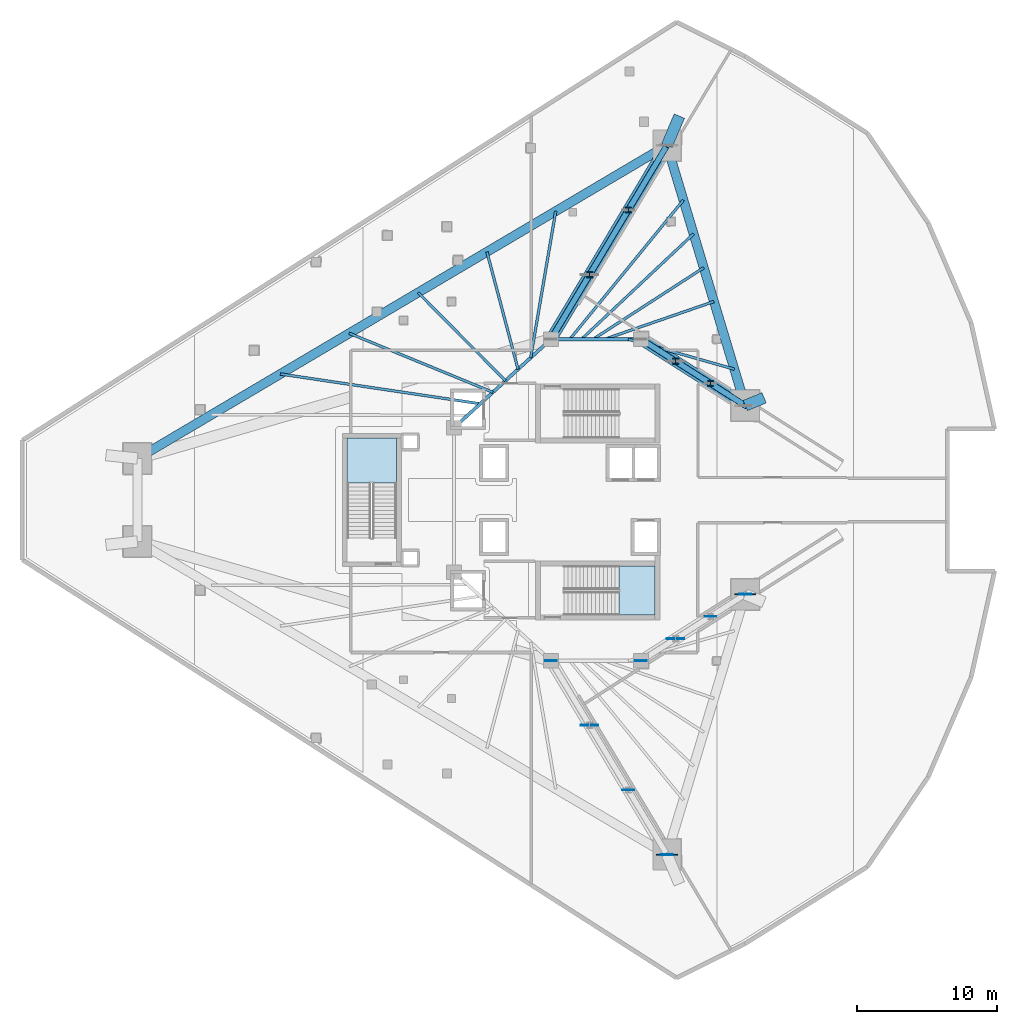
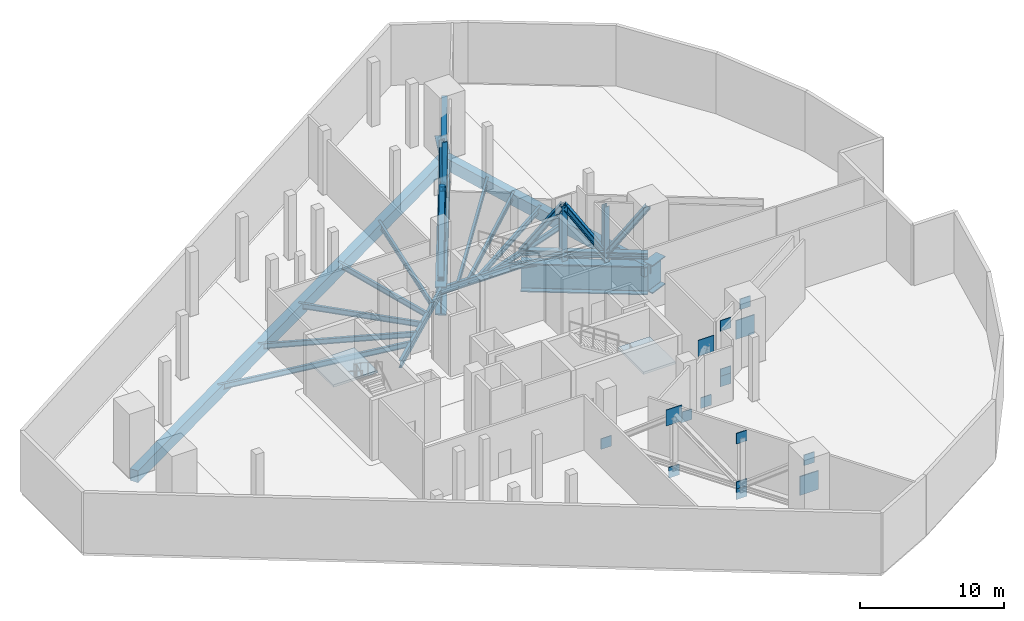
# One storey, part 2 of 12: 18 beams, 16 members, 16 plates, 2 slabs, 2 elements without a shape of their own.
"""IFC4 building model written with IfcOpenShell, lengths in metres."""

import ifcopenshell
import ifcopenshell.guid

model = None  # the IFC model being written
_history = None  # IfcOwnerHistory: only IFC2X3 demands one
_inside = {}  # id of a spatial element -> (the spatial element, [elements in it])
_under = {}  # id of a project, library or spatial element -> (it, [spatial elements below it])
_declared = {}  # id of a project -> (the project, [libraries it declares])
_typed = {}  # id of a type object -> (the type object, [elements of that type])
_made_of = {}  # id of a material, layer set ... -> (it, [elements and type objects made of it])


def new_model(schema):
    """Start an empty IFC model of exactly this schema.

    Asked for "IFC4X3", IfcOpenShell would pick the latest addendum, in which some entities
    have other attributes; the version numbers below select the first issue.
    IFC2X3 requires an IfcOwnerHistory on every rooted entity: one is made here for all.
    """
    global model, _history
    if schema == "IFC4X3":
        model = ifcopenshell.file(schema_version=(4, 3, 0, 0))
    else:
        model = ifcopenshell.file(schema=schema)
    _inside.clear()
    _under.clear()
    _declared.clear()
    _typed.clear()
    _made_of.clear()
    _history = None
    if model.schema == "IFC2X3":
        org = make("IfcOrganization", Name="unknown")
        user = make(
            "IfcPersonAndOrganization",
            ThePerson=make("IfcPerson", FamilyName="unknown"),
            TheOrganization=org,
        )
        app = make(
            "IfcApplication",
            ApplicationDeveloper=org,
            Version="unknown",
            ApplicationFullName="unknown",
            ApplicationIdentifier="unknown",
        )
        _history = make(
            "IfcOwnerHistory",
            OwningUser=user,
            OwningApplication=app,
            ChangeAction="ADDED",
            CreationDate=0,
        )
    return model


def make(cls, **values):
    """One entity of the class cls with the attributes given. An attribute that is None is left unset."""
    return model.create_entity(
        cls, **{name: value for name, value in values.items() if value is not None}
    )


def rooted(cls, **values):
    """An entity with a GlobalId (a new one), such as an element, a storey or a relation."""
    return make(cls, GlobalId=ifcopenshell.guid.new(), OwnerHistory=_history, **values)


def si_unit(unit_type, name, prefix=None):
    """IfcSIUnit, for example si_unit("LENGTHUNIT", "METRE", prefix="MILLI")."""
    return make("IfcSIUnit", UnitType=unit_type, Prefix=prefix, Name=name)


def assignment(units):
    """IfcUnitAssignment: the units of a project."""
    return None if units is None else make("IfcUnitAssignment", Units=units)


def point(xyz):
    """IfcCartesianPoint."""
    return None if xyz is None else make("IfcCartesianPoint", Coordinates=xyz)


def direction(xyz):
    """IfcDirection."""
    return None if xyz is None else make("IfcDirection", DirectionRatios=xyz)


def frame(location, z_axis=None, x_axis=None):
    """IfcAxis2Placement3D, a coordinate frame: its origin and axes. An axis left out is left unset."""
    return make(
        "IfcAxis2Placement3D",
        Location=point(location),
        Axis=direction(z_axis),
        RefDirection=direction(x_axis),
    )


def frame_2d(location, x_axis=None):
    """IfcAxis2Placement2D, a coordinate frame in the plane: its origin and x axis."""
    return make(
        "IfcAxis2Placement2D", Location=point(location), RefDirection=direction(x_axis)
    )


def origin():
    """The frame at (0, 0, 0) with its axes left unset."""
    return frame((0.0, 0.0, 0.0))


def origin_2d():
    """The frame at (0, 0) in the plane with its x axis left unset."""
    return frame_2d((0.0, 0.0))


def place(relative_to, where):
    """IfcLocalPlacement: puts the frame where relative to a parent placement (None: the world)."""
    return make(
        "IfcLocalPlacement", PlacementRelTo=relative_to, RelativePlacement=where
    )


def context(
    kind, dimensions, precision=None, world=None, true_north=None, identifier=None
):
    """IfcGeometricRepresentationContext, for example the 3D "Model" context."""
    return make(
        "IfcGeometricRepresentationContext",
        ContextIdentifier=identifier,
        ContextType=kind,
        CoordinateSpaceDimension=dimensions,
        Precision=precision,
        WorldCoordinateSystem=world,
        TrueNorth=true_north,
    )


def subcontext(parent, identifier, kind, view, scale=None):
    """IfcGeometricRepresentationSubContext, for example "Body" below "Model"."""
    return make(
        "IfcGeometricRepresentationSubContext",
        ContextIdentifier=identifier,
        ContextType=kind,
        ParentContext=parent,
        TargetScale=scale,
        TargetView=view,
    )


def project(units=None, contexts=None):
    """IfcProject with its units and contexts."""
    return rooted(
        "IfcProject",
        Name="project",
        RepresentationContexts=contexts,
        UnitsInContext=assignment(units),
    )


def spatial(cls, under=None, at=None, **own):
    """A site, building, storey or space (cls), placed at a placement, below another one or the project."""
    s = rooted(cls, ObjectPlacement=at, **own)
    if under is not None:
        _under.setdefault(under.id(), (under, []))[1].append(s)
    return s


def polyline(points):
    """IfcPolyline through the points."""
    return make("IfcPolyline", Points=[point(p) for p in points])


def profile(cls, at=None, kind="AREA", **sizes):
    """A parametric profile (cls). Its sizes go by their IFC names, for example OverallWidth=200.0."""
    return make(cls, ProfileType=kind, Position=at, **sizes)


def rectangle(**sizes):
    """IfcRectangleProfileDef."""
    return profile("IfcRectangleProfileDef", **sizes)


def i_section(**sizes):
    """IfcIShapeProfileDef."""
    return profile("IfcIShapeProfileDef", **sizes)


def outline(outer, holes=None, kind="AREA"):
    """IfcArbitraryClosedProfileDef: a profile drawn as a closed curve; with holes, ...WithVoids."""
    if holes is None:
        return make("IfcArbitraryClosedProfileDef", ProfileType=kind, OuterCurve=outer)
    return make(
        "IfcArbitraryProfileDefWithVoids",
        ProfileType=kind,
        OuterCurve=outer,
        InnerCurves=holes,
    )


def extrude(swept, where, along, depth):
    """IfcExtrudedAreaSolid: the profile swept, set in the frame where, extruded along a direction by depth."""
    return make(
        "IfcExtrudedAreaSolid",
        SweptArea=swept,
        Position=where,
        ExtrudedDirection=direction(along),
        Depth=depth,
    )


def shape(context_of_items, identifier, shape_type, items):
    """IfcShapeRepresentation: the items that make up one representation, for example the "Body"."""
    return make(
        "IfcShapeRepresentation",
        ContextOfItems=context_of_items,
        RepresentationIdentifier=identifier,
        RepresentationType=shape_type,
        Items=items,
    )


def material(Name=None, Category=None):
    """IfcMaterial."""
    return make("IfcMaterial", Name=Name, Category=Category)


def layer(
    of_material, thickness, ventilated=None, Name=None, Category=None, Priority=None
):
    """IfcMaterialLayer: one layer of a wall or slab, of a material (None: an air gap)."""
    return make(
        "IfcMaterialLayer",
        Material=of_material,
        LayerThickness=thickness,
        IsVentilated=ventilated,
        Name=Name,
        Category=Category,
        Priority=Priority,
    )


def layer_set(layers, Name=None):
    """IfcMaterialLayerSet."""
    return make("IfcMaterialLayerSet", MaterialLayers=layers, LayerSetName=Name)


def material_profile(
    of_material, cross_section, Name=None, Category=None, Priority=None
):
    """IfcMaterialProfile: a cross section and its material."""
    return make(
        "IfcMaterialProfile",
        Name=Name,
        Material=of_material,
        Profile=cross_section,
        Priority=Priority,
        Category=Category,
    )


def profile_set(profiles, Name=None, composite=None):
    """IfcMaterialProfileSet."""
    return make(
        "IfcMaterialProfileSet",
        Name=Name,
        MaterialProfiles=profiles,
        CompositeProfile=composite,
    )


def made_of(thing, what):
    """Note that an element or type object is made of a material, layer set ...; save() writes the relation."""
    if what is not None:
        _made_of.setdefault(what.id(), (what, []))[1].append(thing)
    return thing


def type_object(cls, material=None, **own):
    """A type object (cls), such as IfcWallType, which elements share."""
    return made_of(rooted(cls, **own), material)


def element(
    cls,
    number,
    at=None,
    inside=None,
    cuts=None,
    type_object=None,
    material=None,
    context=None,
    identifier="Body",
    shape_type=None,
    held_by="IfcProductDefinitionShape",
    body=None,
    shapes=None,
    **own,
):
    """One element of the class cls, such as IfcWall. Its Tag is "e" and its number.

    at: its placement. inside: the storey or other place that contains it. cuts: it is an
    opening in that element (IfcRelVoidsElement). A single representation is given by context,
    identifier, shape_type and body (its items); several are given by shapes. held_by: the class
    of the entity that holds the representations. save() writes the other relations.
    """
    e = rooted(cls, Tag="e%d" % number, ObjectPlacement=at, **own)
    if body is not None:
        shapes = [shape(context, identifier, shape_type, body)]
    if shapes is not None:
        e.Representation = make(held_by, Representations=shapes)
    if inside is not None:
        _inside.setdefault(inside.id(), (inside, []))[1].append(e)
    if cuts is not None:
        rooted(
            "IfcRelVoidsElement", RelatingBuildingElement=cuts, RelatedOpeningElement=e
        )
    if type_object is not None:
        _typed.setdefault(type_object.id(), (type_object, []))[1].append(e)
    return made_of(e, material)


def aggregate(whole, parts):
    """IfcRelAggregates: a whole, such as a stair, and the parts it consists of."""
    return rooted("IfcRelAggregates", RelatingObject=whole, RelatedObjects=parts)


def save(model, path):
    """Write the relations noted so far, then the file.

    IfcRelAggregates (storeys below a building ...), IfcRelContainedInSpatialStructure (elements
    in a storey), IfcRelDefinesByType, IfcRelAssociatesMaterial and IfcRelDeclares: one each for
    every whole, place, type object, material and project.
    """
    for whole, parts in _under.values():
        aggregate(whole, parts)
    for where, things in _inside.values():
        rooted(
            "IfcRelContainedInSpatialStructure",
            RelatedElements=things,
            RelatingStructure=where,
        )
    for kind, things in _typed.values():
        rooted("IfcRelDefinesByType", RelatedObjects=things, RelatingType=kind)
    for what, things in _made_of.values():
        rooted("IfcRelAssociatesMaterial", RelatedObjects=things, RelatingMaterial=what)
    for by, libraries in _declared.values():
        rooted("IfcRelDeclares", RelatingContext=by, RelatedDefinitions=libraries)
    model.write(path)


model = new_model("IFC4")

# Units and contexts
model_context = context("Model", 3, precision=1e-05, world=origin(), true_north=direction((0.0, 1.0)))
body_context = subcontext(model_context, "Body", "Model", "MODEL_VIEW")
ifc_project = project(units=[si_unit("LENGTHUNIT", "METRE"), si_unit("AREAUNIT", "SQUARE_METRE"), si_unit("VOLUMEUNIT", "CUBIC_METRE"), si_unit("PLANEANGLEUNIT", "RADIAN"), si_unit("MASSUNIT", "GRAM", prefix="KILO")], contexts=[model_context])

# Site, building, storey
site_placement = place(None, origin())
site = spatial("IfcSite", under=ifc_project, at=site_placement, CompositionType="ELEMENT")
building_placement = place(site_placement, origin())
building = spatial("IfcBuilding", under=site, at=building_placement, Name="Qorvath Tower", CompositionType="ELEMENT")
storey_placement = place(building_placement, frame((0.0, 0.0, 99.60009765625)))
storey = spatial("IfcBuildingStorey", under=building, at=storey_placement, Name="L22", CompositionType="ELEMENT", Elevation=99.60009765625)

# Beams
ifc_material_1 = material(Name="Steel ASTM A992 Grade 50", Category="steel")
ifc_material_profile_1 = material_profile(ifc_material_1, i_section(OverallWidth=0.22998046875, OverallDepth=0.616943359375, WebThickness=0.01318359375, FlangeThickness=0.022216796875, FilletRadius=0.014892578125, at=origin_2d()), Name="W24x94")
ifc_profile_set_1 = profile_set([ifc_material_profile_1], Name="Steel ASTM A992 Grade 50")
beam_type_1 = type_object("IfcBeamType", Name="BM-FG6", PredefinedType="BEAM", material=ifc_profile_set_1)
beam_1_placement = place(storey_placement, frame((-23.60009765625, 11.449951171875, -0.608642578125), z_axis=(1.0, 0.0, 0.0), x_axis=(0.0, 1.0, 0.0)))
element("IfcBeam", 1, at=beam_1_placement, inside=storey, type_object=beam_type_1, Name="Core Ring Girder CC1-CC2 L22", PredefinedType="BEAM", context=body_context, shape_type="SweptSolid", body=[
    extrude(i_section(OverallWidth=0.22998046875, OverallDepth=0.616943359375, WebThickness=0.01318359375, FlangeThickness=0.022216796875, FilletRadius=0.014892578125, at=origin_2d()), origin(), (0.0, 0.0, 1.0), 6.400146484375),
])
beam_2_placement = place(storey_placement, frame((-30.5, 5.14990234375, -0.608642578125), z_axis=(0.73847813985, 0.6742774184, 0.0), x_axis=(-0.6742774184, 0.73847813985, 0.0)))
element("IfcBeam", 2, at=beam_2_placement, inside=storey, type_object=beam_type_1, Name="Core Ring Girder CC5-CC1 L22", PredefinedType="BEAM", context=body_context, shape_type="SweptSolid", body=[
    extrude(i_section(OverallWidth=0.22998046875, OverallDepth=0.616943359375, WebThickness=0.01318359375, FlangeThickness=0.022216796875, FilletRadius=0.014892578125, at=origin_2d()), origin(), (0.0, 0.0, 1.0), 9.343505859375),
])
ifc_material_2 = material(Name="Steel ASTM A992 Grade 50", Category="steel")
ifc_material_profile_2 = material_profile(ifc_material_2, i_section(OverallWidth=0.18994140625, OverallDepth=0.45703125, WebThickness=0.009033203125, FlangeThickness=0.014404296875, FilletRadius=0.011962890625, at=origin_2d()), Name="W18x50")
ifc_profile_set_2 = profile_set([ifc_material_profile_2], Name="Steel ASTM A992 Grade 50")
beam_type_2 = type_object("IfcBeamType", Name="BM-FJ2", PredefinedType="JOIST", material=ifc_profile_set_2)
beam_3_placement = place(storey_placement, frame((-18.095947265625, 11.449951171875, -0.528564453125), z_axis=(0.962222206221, -0.272265359264, 0.0), x_axis=(0.272265359264, 0.962222206221, 0.0)))
element("IfcBeam", 3, at=beam_3_placement, inside=storey, type_object=beam_type_2, Name="Composite Floor Joist NE1 L22", PredefinedType="JOIST", context=body_context, shape_type="SweptSolid", body=[
    extrude(i_section(OverallWidth=0.18994140625, OverallDepth=0.45703125, WebThickness=0.009033203125, FlangeThickness=0.014404296875, FilletRadius=0.011962890625, at=origin_2d()), origin(), (0.0, 0.0, 1.0), 7.841552734375),
])
beam_4_placement = place(storey_placement, frame((-19.760009765625, 11.449951171875, -0.528564453125), z_axis=(0.945168345309, 0.326583525342, 0.0), x_axis=(-0.326583525342, 0.945168345309, 0.0)))
element("IfcBeam", 4, at=beam_4_placement, inside=storey, type_object=beam_type_2, Name="Composite Floor Joist NE3 L22", PredefinedType="JOIST", context=body_context, shape_type="SweptSolid", body=[
    extrude(i_section(OverallWidth=0.18994140625, OverallDepth=0.45703125, WebThickness=0.009033203125, FlangeThickness=0.014404296875, FilletRadius=0.011962890625, at=origin_2d()), origin(), (0.0, 0.0, 1.0), 8.21044921875),
])
beam_5_placement = place(storey_placement, frame((-20.592041015625, 11.449951171875, -0.528564453125), z_axis=(0.839630966809, 0.543157288062, 0.0), x_axis=(-0.543157288062, 0.839630966809, 0.0)))
element("IfcBeam", 5, at=beam_5_placement, inside=storey, type_object=beam_type_2, Name="Composite Floor Joist NE4 L22", PredefinedType="JOIST", context=body_context, shape_type="SweptSolid", body=[
    extrude(i_section(OverallWidth=0.18994140625, OverallDepth=0.45703125, WebThickness=0.009033203125, FlangeThickness=0.014404296875, FilletRadius=0.011962890625, at=origin_2d()), origin(), (0.0, 0.0, 1.0), 9.370361328125),
])
beam_6_placement = place(storey_placement, frame((-21.424072265625, 11.449951171875, -0.528564453125), z_axis=(0.728572459091, 0.684968737866, 0.0), x_axis=(-0.684968737866, 0.728572459091, 0.0)))
element("IfcBeam", 6, at=beam_6_placement, inside=storey, type_object=beam_type_2, Name="Composite Floor Joist NE5 L22", PredefinedType="JOIST", context=body_context, shape_type="SweptSolid", body=[
    extrude(i_section(OverallWidth=0.18994140625, OverallDepth=0.45703125, WebThickness=0.009033203125, FlangeThickness=0.014404296875, FilletRadius=0.011962890625, at=origin_2d()), origin(), (0.0, 0.0, 1.0), 10.9462890625),
])
beam_7_placement = place(storey_placement, frame((-22.256103515625, 11.449951171875, -0.528564453125), z_axis=(0.632187975212, 0.774815051478, 0.0), x_axis=(-0.774815051478, 0.632187975212, 0.0)))
element("IfcBeam", 7, at=beam_7_placement, inside=storey, type_object=beam_type_2, Name="Composite Floor Joist NE6 L22", PredefinedType="JOIST", context=body_context, shape_type="SweptSolid", body=[
    extrude(i_section(OverallWidth=0.18994140625, OverallDepth=0.45703125, WebThickness=0.009033203125, FlangeThickness=0.014404296875, FilletRadius=0.011962890625, at=origin_2d()), origin(), (0.0, 0.0, 1.0), 12.784912109375),
])
beam_8_placement = place(storey_placement, frame((-28.636962890625, 6.85107421875, -0.528564453125), z_axis=(-0.989092860328, 0.147293291256, 0.0), x_axis=(-0.147293291256, -0.989092860328, 0.0)))
element("IfcBeam", 8, at=beam_8_placement, inside=storey, type_object=beam_type_2, Name="Composite Floor Joist NW2 L22", PredefinedType="JOIST", context=body_context, shape_type="SweptSolid", body=[
    extrude(i_section(OverallWidth=0.18994140625, OverallDepth=0.45703125, WebThickness=0.009033203125, FlangeThickness=0.014404296875, FilletRadius=0.011962890625, at=origin_2d()), origin(), (0.0, 0.0, 1.0), 14.388916015625),
])
beam_9_placement = place(storey_placement, frame((-27.739990234375, 7.669921875, -0.528564453125), z_axis=(-0.925068176006, 0.379801092338, 0.0), x_axis=(-0.379801092338, -0.925068176006, 0.0)))
element("IfcBeam", 9, at=beam_9_placement, inside=storey, type_object=beam_type_2, Name="Composite Floor Joist NW3 L22", PredefinedType="JOIST", context=body_context, shape_type="SweptSolid", body=[
    extrude(i_section(OverallWidth=0.18994140625, OverallDepth=0.45703125, WebThickness=0.009033203125, FlangeThickness=0.014404296875, FilletRadius=0.011962890625, at=origin_2d()), origin(), (0.0, 0.0, 1.0), 11.0556640625),
])
beam_10_placement = place(storey_placement, frame((-26.843017578125, 8.489013671875, -0.528564453125), z_axis=(-0.70395121362, 0.710248328997, 0.0), x_axis=(-0.710248328997, -0.70395121362, 0.0)))
element("IfcBeam", 10, at=beam_10_placement, inside=storey, type_object=beam_type_2, Name="Composite Floor Joist NW4 L22", PredefinedType="JOIST", context=body_context, shape_type="SweptSolid", body=[
    extrude(i_section(OverallWidth=0.18994140625, OverallDepth=0.45703125, WebThickness=0.009033203125, FlangeThickness=0.014404296875, FilletRadius=0.011962890625, at=origin_2d()), origin(), (0.0, 0.0, 1.0), 8.839599609375),
])
beam_11_placement = place(storey_placement, frame((-25.946044921875, 9.30810546875, -0.528564453125), z_axis=(-0.256507909517, 0.966542131702, 0.0), x_axis=(-0.966542131702, -0.256507909517, 0.0)))
element("IfcBeam", 11, at=beam_11_placement, inside=storey, type_object=beam_type_2, Name="Composite Floor Joist NW5 L22", PredefinedType="JOIST", context=body_context, shape_type="SweptSolid", body=[
    extrude(i_section(OverallWidth=0.18994140625, OverallDepth=0.45703125, WebThickness=0.009033203125, FlangeThickness=0.014404296875, FilletRadius=0.011962890625, at=origin_2d()), origin(), (0.0, 0.0, 1.0), 8.64697265625),
])
beam_12_placement = place(storey_placement, frame((-25.049072265625, 10.126953125, -0.528564453125), z_axis=(0.168745594245, 0.985659639238, 0.0), x_axis=(-0.985659639238, 0.168745594245, 0.0)))
element("IfcBeam", 12, at=beam_12_placement, inside=storey, type_object=beam_type_2, Name="Composite Floor Joist NW6 L22", PredefinedType="JOIST", context=body_context, shape_type="SweptSolid", body=[
    extrude(i_section(OverallWidth=0.18994140625, OverallDepth=0.45703125, WebThickness=0.009033203125, FlangeThickness=0.014404296875, FilletRadius=0.011962890625, at=origin_2d()), origin(), (0.0, 0.0, 1.0), 10.589111328125),
])
ifc_material_3 = material(Name="Concrete C50/60", Category="concrete")
ifc_material_profile_3 = material_profile(ifc_material_3, rectangle(XDim=0.64990234375, YDim=1.0, at=origin_2d()), Name="RCB 1000x650")
ifc_profile_set_3 = profile_set([ifc_material_profile_3], Name="Concrete C50/60")
beam_type_3 = type_object("IfcBeamType", Name="BM-RCB1", PredefinedType="SPANDREL", material=ifc_profile_set_3)
beam_13_placement = place(storey_placement, frame((-9.770263671875, 6.721435546875, -0.800048828125), z_axis=(-0.288133952099, 0.957590113591, 0.0), x_axis=(-0.957590113591, -0.288133952099, 0.0)))
element("IfcBeam", 13, at=beam_13_placement, inside=storey, type_object=beam_type_3, Name="Perimeter Loggia Frame Beam MC5-MC6 L22", PredefinedType="SPANDREL", context=body_context, shape_type="SweptSolid", body=[
    extrude(rectangle(XDim=0.64990234375, YDim=1.0, at=origin_2d()), origin(), (0.0, 0.0, 1.0), 19.344970703125),
])
beam_14_placement = place(storey_placement, frame((-15.34423828125, 25.24609375, -0.800048828125), z_axis=(-0.860775142889, -0.508985415689, 0.0), x_axis=(0.508985415689, -0.860775142889, 0.0)))
element("IfcBeam", 14, at=beam_14_placement, inside=storey, type_object=beam_type_3, Name="Perimeter Loggia Frame Beam MC6-MC1 L22", PredefinedType="SPANDREL", context=body_context, shape_type="SweptSolid", body=[
    extrude(rectangle(XDim=0.64990234375, YDim=1.0, at=origin_2d()), origin(), (0.0, 0.0, 1.0), 43.8037109375),
])
ifc_material_4 = material(Name="Steel ASTM A572 Grade 50", Category="steel")
ifc_material_profile_4 = material_profile(ifc_material_4, i_section(OverallWidth=0.800048828125, OverallDepth=2.39990234375, WebThickness=0.044921875, FlangeThickness=0.090087890625, FilletRadius=0.02490234375, at=origin_2d()), Name="WTG 2400x800")
ifc_profile_set_4 = profile_set([ifc_material_profile_4], Name="Steel ASTM A572 Grade 50")
beam_type_4 = type_object("IfcBeamType", Name="BM-TG2", PredefinedType="BEAM", material=ifc_profile_set_4)
beam_15_placement = place(storey_placement, frame((-8.430419921875, 7.2763671875, -1.5), z_axis=(-0.923891675903, -0.382654114309, 0.0), x_axis=(0.382654114309, -0.923891675903, 0.0)))
element("IfcBeam", 15, at=beam_15_placement, inside=storey, type_object=beam_type_4, Name="Zone Step Transfer Tie MC5 L22", PredefinedType="BEAM", context=body_context, shape_type="SweptSolid", body=[
    extrude(i_section(OverallWidth=0.800048828125, OverallDepth=2.39990234375, WebThickness=0.044921875, FlangeThickness=0.090087890625, FilletRadius=0.02490234375, at=origin_2d()), origin(), (0.0, 0.0, 1.0), 1.4501953125),
])
beam_16_placement = place(storey_placement, frame((-9.770263671875, 6.721435546875, -1.5), z_axis=(-0.843634090834, 0.536918542037, 0.0), x_axis=(-0.536918542037, -0.843634090834, 0.0)))
element("IfcBeam", 16, at=beam_16_placement, inside=storey, type_object=beam_type_4, Name="Zone Step Transfer Girder CC2-MC5 L22", PredefinedType="BEAM", context=body_context, shape_type="SweptSolid", body=[
    extrude(i_section(OverallWidth=0.800048828125, OverallDepth=2.39990234375, WebThickness=0.044921875, FlangeThickness=0.090087890625, FilletRadius=0.02490234375, at=origin_2d()), origin(), (0.0, 0.0, 1.0), 8.806884765625),
])
beam_17_placement = place(storey_placement, frame((-14.46435546875, 27.330810546875, -1.5), z_axis=(-0.388847906329, -0.921301962303, 0.0), x_axis=(0.921301962303, -0.388847906329, 0.0)))
element("IfcBeam", 17, at=beam_17_placement, inside=storey, type_object=beam_type_4, Name="Zone Step Transfer Tie MC6 L22", PredefinedType="BEAM", context=body_context, shape_type="SweptSolid", body=[
    extrude(i_section(OverallWidth=0.800048828125, OverallDepth=2.39990234375, WebThickness=0.044921875, FlangeThickness=0.090087890625, FilletRadius=0.02490234375, at=origin_2d()), origin(), (0.0, 0.0, 1.0), 2.2626953125),
])
beam_18_placement = place(storey_placement, frame((-15.34423828125, 25.24609375, -1.5), z_axis=(-0.513497213955, -0.85809126045, 0.0), x_axis=(0.85809126045, -0.513497213955, 0.0)))
element("IfcBeam", 18, at=beam_18_placement, inside=storey, type_object=beam_type_4, Name="Zone Step Transfer Girder CC1-MC6 L22", PredefinedType="BEAM", context=body_context, shape_type="SweptSolid", body=[
    extrude(i_section(OverallWidth=0.800048828125, OverallDepth=2.39990234375, WebThickness=0.044921875, FlangeThickness=0.090087890625, FilletRadius=0.02490234375, at=origin_2d()), origin(), (0.0, 0.0, 1.0), 16.07763671875),
])

# Members
ifc_material_5 = material(Name="Steel ASTM A913 Grade 65", Category="steel")
ifc_material_profile_5 = material_profile(ifc_material_5, i_section(OverallWidth=0.431884765625, OverallDepth=0.498046875, WebThickness=0.0556640625, FlangeThickness=0.0888671875, FilletRadius=0.02490234375, at=origin_2d()), Name="W14x500")
ifc_profile_set_5 = profile_set([ifc_material_profile_5], Name="Steel ASTM A913 Grade 65")
member_type_1 = type_object("IfcMemberType", Name="MEM-OT1", PredefinedType="CHORD", material=ifc_profile_set_5)
member_1_placement = place(storey_placement, frame((-23.60009765625, 11.449951171875, 0.449951171875), z_axis=(0.513503904971, 0.85808725639, 0.0), x_axis=(-0.85808725639, 0.513503904971, 0.0)))
element("IfcMember", 19, at=member_1_placement, inside=storey, type_object=member_type_1, Name="Outrigger and Belt Truss Bottom Chord OB1-1.1", PredefinedType="CHORD", context=body_context, shape_type="SweptSolid", body=[
    extrude(i_section(OverallWidth=0.431884765625, OverallDepth=0.498046875, WebThickness=0.0556640625, FlangeThickness=0.0888671875, FilletRadius=0.02490234375, at=origin_2d()), origin(), (0.0, 0.0, 1.0), 5.359130859375),
])
member_2_placement = place(storey_placement, frame((-20.84814453125, 16.048583984375, 0.449951171875), z_axis=(0.513483832352, 0.8580992681, 0.0), x_axis=(-0.8580992681, 0.513483832352, 0.0)))
element("IfcMember", 20, at=member_2_placement, inside=storey, type_object=member_type_1, Name="Outrigger and Belt Truss Bottom Chord OB1-1.2", PredefinedType="CHORD", context=body_context, shape_type="SweptSolid", body=[
    extrude(i_section(OverallWidth=0.431884765625, OverallDepth=0.498046875, WebThickness=0.0556640625, FlangeThickness=0.0888671875, FilletRadius=0.02490234375, at=origin_2d()), origin(), (0.0, 0.0, 1.0), 5.359375),
])
member_3_placement = place(storey_placement, frame((-18.09619140625, 20.6474609375, 0.449951171875), z_axis=(0.513503904971, 0.85808725639, 0.0), x_axis=(-0.85808725639, 0.513503904971, 0.0)))
element("IfcMember", 21, at=member_3_placement, inside=storey, type_object=member_type_1, Name="Outrigger and Belt Truss Bottom Chord OB1-1.3", PredefinedType="CHORD", context=body_context, shape_type="SweptSolid", body=[
    extrude(i_section(OverallWidth=0.431884765625, OverallDepth=0.498046875, WebThickness=0.0556640625, FlangeThickness=0.0888671875, FilletRadius=0.02490234375, at=origin_2d()), origin(), (0.0, 0.0, 1.0), 5.359130859375),
])
for number, where, z_axis, x_axis, name in (
    (22, (-17.199951171875, 11.449951171875, 0.449951171875), (0.843634090834, -0.536918542037, 0.0), (0.536918542037, 0.843634090834, 0.0), "Outrigger and Belt Truss Bottom Chord OB1-2.1"),
    (23, (-14.723388671875, 9.873779296875, 0.449951171875), (0.843634090834, -0.536918542037, 0.0), (0.536918542037, 0.843634090834, 0.0), "Outrigger and Belt Truss Bottom Chord OB1-2.2"),
    (24, (-12.246826171875, 8.297607421875, 0.449951171875), (0.843634090834, -0.536918542037, 0.0), (0.536918542037, 0.843634090834, 0.0), "Outrigger and Belt Truss Bottom Chord OB1-2.3"),
):
    element("IfcMember", number, at=place(storey_placement, frame(where, z_axis=z_axis, x_axis=x_axis)), inside=storey, type_object=member_type_1, Name=name, PredefinedType="CHORD", context=body_context, shape_type="SweptSolid", body=[
        extrude(i_section(OverallWidth=0.431884765625, OverallDepth=0.498046875, WebThickness=0.0556640625, FlangeThickness=0.0888671875, FilletRadius=0.02490234375, at=origin_2d()), origin(), (0.0, 0.0, 1.0), 2.935546875),
    ])
ifc_material_6 = material(Name="Steel ASTM A913 Grade 65", Category="steel")
ifc_material_profile_6 = material_profile(ifc_material_6, i_section(OverallWidth=0.406005859375, OverallDepth=0.416015625, WebThickness=0.02978515625, FlangeThickness=0.048095703125, FilletRadius=0.02490234375, at=origin_2d()), Name="W14x257")
ifc_profile_set_6 = profile_set([ifc_material_profile_6], Name="Steel ASTM A913 Grade 65")
member_type_2 = type_object("IfcMemberType", Name="MEM-OT3", PredefinedType="BRACE", material=ifc_profile_set_6)
for number, where, z_axis, x_axis, name in (
    (25, (-20.84814453125, 16.048583984375, -0.150146484375), (0.0, 0.0, 1.0), (1.0, 0.0, 0.0), "Outrigger and Belt Truss Post OB1-1.1"),
    (26, (-18.09619140625, 20.6474609375, -0.150146484375), (0.0, 0.0, 1.0), (1.0, 0.0, 0.0), "Outrigger and Belt Truss Post OB1-1.2"),
):
    element("IfcMember", number, at=place(storey_placement, frame(where, z_axis=z_axis, x_axis=x_axis)), inside=storey, type_object=member_type_2, Name=name, PredefinedType="BRACE", context=body_context, shape_type="SweptSolid", body=[
        extrude(i_section(OverallWidth=0.406005859375, OverallDepth=0.416015625, WebThickness=0.02978515625, FlangeThickness=0.048095703125, FilletRadius=0.02490234375, at=origin_2d()), origin(), (0.0, 0.0, 1.0), 4.699951171875),
    ])
member_4_placement = place(storey_placement, frame((-23.60009765625, 11.449951171875, 0.449951171875), z_axis=(0.407844623435, 0.681526022625, 0.607605993732), x_axis=(-0.85808725639, 0.513503904971, 0.0)))
element("IfcMember", 27, at=member_4_placement, inside=storey, type_object=member_type_2, Name="Outrigger and Belt Truss Web Diagonal OB1-1.1", PredefinedType="BRACE", context=body_context, shape_type="SweptSolid", body=[
    extrude(i_section(OverallWidth=0.406005859375, OverallDepth=0.416015625, WebThickness=0.02978515625, FlangeThickness=0.048095703125, FilletRadius=0.02490234375, at=origin_2d()), origin(), (0.0, 0.0, 1.0), 6.74755859375),
])
member_5_placement = place(storey_placement, frame((-18.09619140625, 20.6474609375, 0.449951171875), z_axis=(-0.407834566483, -0.681545398229, 0.607591010907), x_axis=(0.8580992681, -0.513483832352, 0.0)))
element("IfcMember", 28, at=member_5_placement, inside=storey, type_object=member_type_2, Name="Outrigger and Belt Truss Web Diagonal OB1-1.2", PredefinedType="BRACE", context=body_context, shape_type="SweptSolid", body=[
    extrude(i_section(OverallWidth=0.406005859375, OverallDepth=0.416015625, WebThickness=0.02978515625, FlangeThickness=0.048095703125, FilletRadius=0.02490234375, at=origin_2d()), origin(), (0.0, 0.0, 1.0), 6.747802734375),
])
member_6_placement = place(storey_placement, frame((-18.09619140625, 20.6474609375, 0.449951171875), z_axis=(0.407844623435, 0.681526022625, 0.607605993732), x_axis=(-0.85808725639, 0.513503904971, 0.0)))
element("IfcMember", 29, at=member_6_placement, inside=storey, type_object=member_type_2, Name="Outrigger and Belt Truss Web Diagonal OB1-1.3", PredefinedType="BRACE", context=body_context, shape_type="SweptSolid", body=[
    extrude(i_section(OverallWidth=0.406005859375, OverallDepth=0.416015625, WebThickness=0.02978515625, FlangeThickness=0.048095703125, FilletRadius=0.02490234375, at=origin_2d()), origin(), (0.0, 0.0, 1.0), 6.74755859375),
])
for number, where, z_axis, x_axis, name in (
    (30, (-14.723388671875, 9.873779296875, -0.150146484375), (0.0, 0.0, 1.0), (1.0, 0.0, 0.0), "Outrigger and Belt Truss Post OB1-2.1"),
    (31, (-12.246826171875, 8.297607421875, -0.150146484375), (0.0, 0.0, 1.0), (1.0, 0.0, 0.0), "Outrigger and Belt Truss Post OB1-2.2"),
):
    element("IfcMember", number, at=place(storey_placement, frame(where, z_axis=z_axis, x_axis=x_axis)), inside=storey, type_object=member_type_2, Name=name, PredefinedType="BRACE", context=body_context, shape_type="SweptSolid", body=[
        extrude(i_section(OverallWidth=0.406005859375, OverallDepth=0.416015625, WebThickness=0.02978515625, FlangeThickness=0.048095703125, FilletRadius=0.02490234375, at=origin_2d()), origin(), (0.0, 0.0, 1.0), 4.699951171875),
    ])
for number, where, z_axis, x_axis, name in (
    (32, (-17.199951171875, 11.449951171875, 0.449951171875), (0.491140994383, -0.312579481441, 0.813064936778), (0.536918542037, 0.843634090834, 0.0), "Outrigger and Belt Truss Web Diagonal OB1-2.1"),
    (33, (-12.246826171875, 8.297607421875, 0.449951171875), (-0.491140994383, 0.312579481441, 0.813064936778), (-0.536918542037, -0.843634090834, 0.0), "Outrigger and Belt Truss Web Diagonal OB1-2.2"),
    (34, (-12.246826171875, 8.297607421875, 0.449951171875), (0.491140994383, -0.312579481441, 0.813064936778), (0.536918542037, 0.843634090834, 0.0), "Outrigger and Belt Truss Web Diagonal OB1-2.3"),
):
    element("IfcMember", number, at=place(storey_placement, frame(where, z_axis=z_axis, x_axis=x_axis)), inside=storey, type_object=member_type_2, Name=name, PredefinedType="BRACE", context=body_context, shape_type="SweptSolid", body=[
        extrude(i_section(OverallWidth=0.406005859375, OverallDepth=0.416015625, WebThickness=0.02978515625, FlangeThickness=0.048095703125, FilletRadius=0.02490234375, at=origin_2d()), origin(), (0.0, 0.0, 1.0), 5.04248046875),
    ])

# Plates
ifc_material_7 = material(Name="Steel ASTM A572 Grade 50", Category="steel")
ifc_layer_1 = layer(ifc_material_7, 0.06005859375)
ifc_layer_set_1 = layer_set([ifc_layer_1], Name="PL-BN1")
plate_type_1 = type_object("IfcPlateType", Name="PL-BN1", PredefinedType="USERDEFINED", material=ifc_layer_set_1)
for number, where, z_axis, x_axis, name in (
    (35, (-14.723388671875, -9.873779296875, 3.874755859375), (0.0, 0.0, 1.0), (1.0, 0.0, 0.0), "Outrigger Panel Node Gusset OB1-3"),
    (36, (-20.84814453125, -16.048583984375, 3.874755859375), (0.0, 0.0, 1.0), (1.0, 0.0, 0.0), "Outrigger Panel Node Gusset OB1-4"),
):
    element("IfcPlate", number, at=place(storey_placement, frame(where, z_axis=z_axis, x_axis=x_axis)), inside=storey, type_object=plate_type_1, Name=name, ObjectType="GUSSET", PredefinedType="USERDEFINED", context=body_context, shape_type="SweptSolid", body=[
        extrude(rectangle(XDim=1.25, YDim=0.06005859375, at=origin_2d()), origin(), (0.0, 0.0, 1.0), 1.35009765625),
    ])
for number, where, z_axis, x_axis, name in (
    (37, (-14.723388671875, -9.873779296875, -0.60009765625), (0.0, 0.0, 1.0), (1.0, 0.0, 0.0), "Brace Strut End Gusset Plate NDBG-013"),
    (38, (-12.246826171875, -8.297607421875, -0.60009765625), (0.0, 0.0, 1.0), (1.0, 0.0, 0.0), "Brace Strut End Gusset Plate NDBG-014"),
    (39, (-12.246826171875, -8.297607421875, 4.099853515625), (0.0, 0.0, 1.0), (1.0, 0.0, 0.0), "Brace Strut End Gusset Plate NDBG-015"),
    (40, (-17.199951171875, -11.449951171875, 0.0), (0.0, 0.0, 1.0), (1.0, 0.0, 0.0), "Brace Strut End Gusset Plate NDBG-016"),
    (41, (-12.246826171875, -8.297607421875, 0.0), (0.0, 0.0, 1.0), (1.0, 0.0, 0.0), "Brace Strut End Gusset Plate NDBG-017"),
    (42, (-9.770263671875, -6.721435546875, 4.099853515625), (0.0, 0.0, 1.0), (1.0, 0.0, 0.0), "Brace Strut End Gusset Plate NDBG-018"),
    (43, (-20.84814453125, -16.048583984375, -0.60009765625), (0.0, 0.0, 1.0), (1.0, 0.0, 0.0), "Brace Strut End Gusset Plate NDBG-019"),
    (44, (-18.09619140625, -20.6474609375, -0.60009765625), (0.0, 0.0, 1.0), (1.0, 0.0, 0.0), "Brace Strut End Gusset Plate NDBG-020"),
    (45, (-18.09619140625, -20.6474609375, 4.099853515625), (0.0, 0.0, 1.0), (1.0, 0.0, 0.0), "Brace Strut End Gusset Plate NDBG-021"),
    (46, (-23.60009765625, -11.449951171875, 0.0), (0.0, 0.0, 1.0), (1.0, 0.0, 0.0), "Brace Strut End Gusset Plate NDBG-022"),
    (47, (-18.09619140625, -20.6474609375, 0.0), (0.0, 0.0, 1.0), (1.0, 0.0, 0.0), "Brace Strut End Gusset Plate NDBG-023"),
    (48, (-15.34423828125, -25.24609375, 4.099853515625), (0.0, 0.0, 1.0), (1.0, 0.0, 0.0), "Brace Strut End Gusset Plate NDBG-024"),
):
    element("IfcPlate", number, at=place(storey_placement, frame(where, z_axis=z_axis, x_axis=x_axis)), inside=storey, type_object=plate_type_1, Name=name, ObjectType="GUSSET", PredefinedType="USERDEFINED", context=body_context, shape_type="SweptSolid", body=[
        extrude(rectangle(XDim=0.85009765625, YDim=0.06005859375, at=origin_2d()), origin(), (0.0, 0.0, 1.0), 0.89990234375),
    ])
ifc_material_8 = material(Name="Steel ASTM A572 Grade 50", Category="steel")
ifc_layer_2 = layer(ifc_material_8, 0.074951171875)
ifc_layer_set_2 = layer_set([ifc_layer_2], Name="PL-ON1")
plate_type_2 = type_object("IfcPlateType", Name="PL-ON1", PredefinedType="USERDEFINED", material=ifc_layer_set_2)
for number, where, z_axis, x_axis, name in (
    (49, (-9.770263671875, -6.721435546875, 1.69970703125), (0.0, 0.0, 1.0), (1.0, 0.0, 0.0), "Outrigger Gusset Plate OB1-3"),
    (50, (-15.34423828125, -25.24609375, 1.69970703125), (0.0, 0.0, 1.0), (1.0, 0.0, 0.0), "Outrigger Gusset Plate OB1-4"),
):
    element("IfcPlate", number, at=place(storey_placement, frame(where, z_axis=z_axis, x_axis=x_axis)), inside=storey, type_object=plate_type_2, Name=name, ObjectType="GUSSET", PredefinedType="USERDEFINED", context=body_context, shape_type="SweptSolid", body=[
        extrude(rectangle(XDim=1.5, YDim=0.074951171875, at=origin_2d()), origin(), (0.0, 0.0, 1.0), 1.60009765625),
    ])

# Stair, slab
ifc_material_9 = material(Name="Concrete C50/60", Category="concrete")
stair_type = type_object("IfcStairType", Name="ST-H540", PredefinedType="HALF_TURN_STAIR", material=ifc_material_9)
stair_1_placement = place(storey_placement, origin())
stair_1 = element("IfcStair", 51, at=stair_1_placement, inside=storey, type_object=stair_type, Name="L22 Tower Exit Stair 2", PredefinedType="HALF_TURN_STAIR")
ifc_material_10 = material(Name="Concrete C50/60", Category="concrete")
ifc_layer_3 = layer(ifc_material_10, 0.199951171875)
ifc_layer_set_3 = layer_set([ifc_layer_3], Name="SL-LND-200")
slab_type = type_object("IfcSlabType", Name="SL-LND-200", PredefinedType="LANDING", material=ifc_layer_set_3)
slab_1_placement = place(storey_placement, frame((0.0, 0.0, 2.5)))
slab_1 = element("IfcSlab", 52, at=slab_1_placement, type_object=slab_type, Name="TS2 landing 1", PredefinedType="LANDING", context=body_context, shape_type="SweptSolid", body=[
    extrude(outline(polyline([(-18.75, -8.199951171875), (-16.199951171875, -8.199951171875), (-16.199951171875, -4.68994140625), (-18.75, -4.68994140625), (-18.75, -8.199951171875)])), origin(), (0.0, 0.0, 1.0), 0.199951171875),
])
aggregate(stair_1, [slab_1])

stair_2_placement = place(storey_placement, origin())
stair_2 = element("IfcStair", 53, at=stair_2_placement, inside=storey, type_object=stair_type, Name="L22 Tower Exit Stair 3", PredefinedType="HALF_TURN_STAIR")
slab_2_placement = place(storey_placement, frame((0.0, 0.0, 2.5)))
slab_2 = element("IfcSlab", 54, at=slab_2_placement, type_object=slab_type, Name="TS3 landing 1", PredefinedType="LANDING", context=body_context, shape_type="SweptSolid", body=[
    extrude(outline(polyline([(-34.60009765625, 1.199951171875), (-34.60009765625, 4.39990234375), (-38.110107421875, 4.39990234375), (-38.110107421875, 1.199951171875), (-34.60009765625, 1.199951171875)])), origin(), (0.0, 0.0, 1.0), 0.199951171875),
])
aggregate(stair_2, [slab_2])

save(model, "model.ifc")
